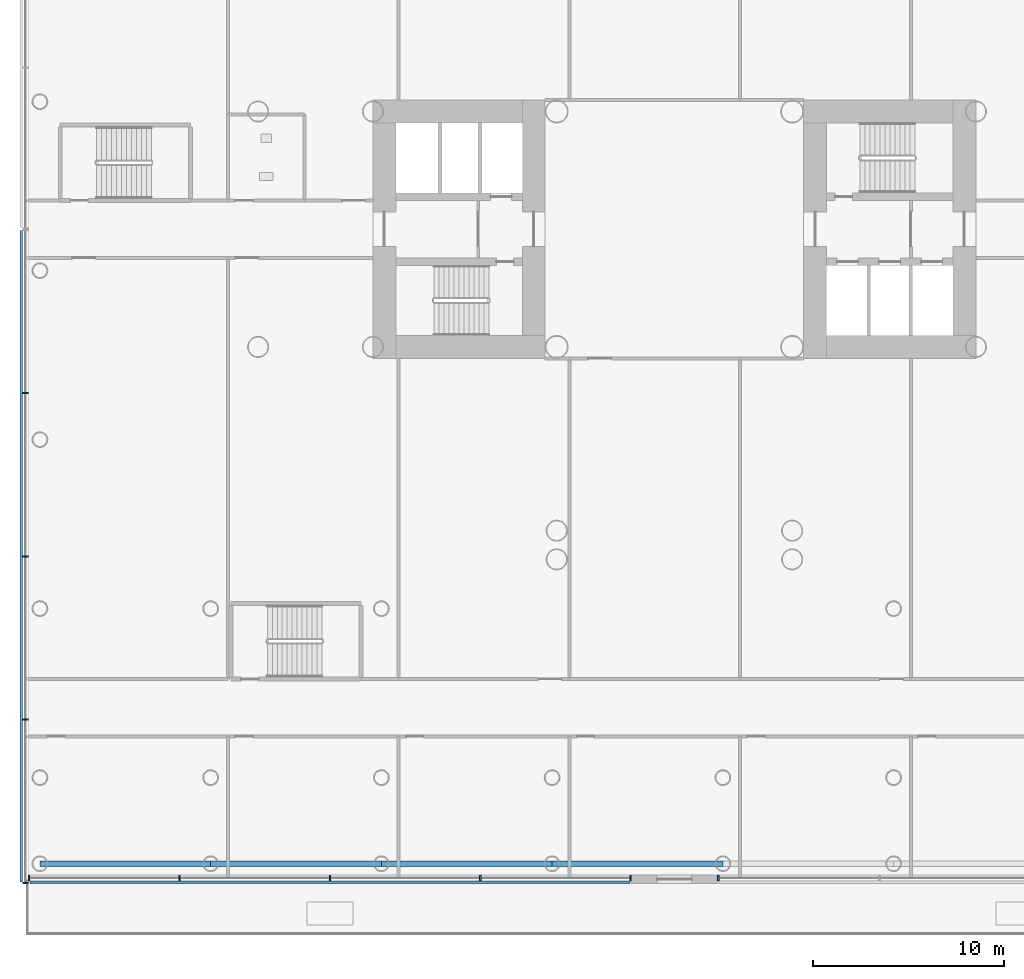
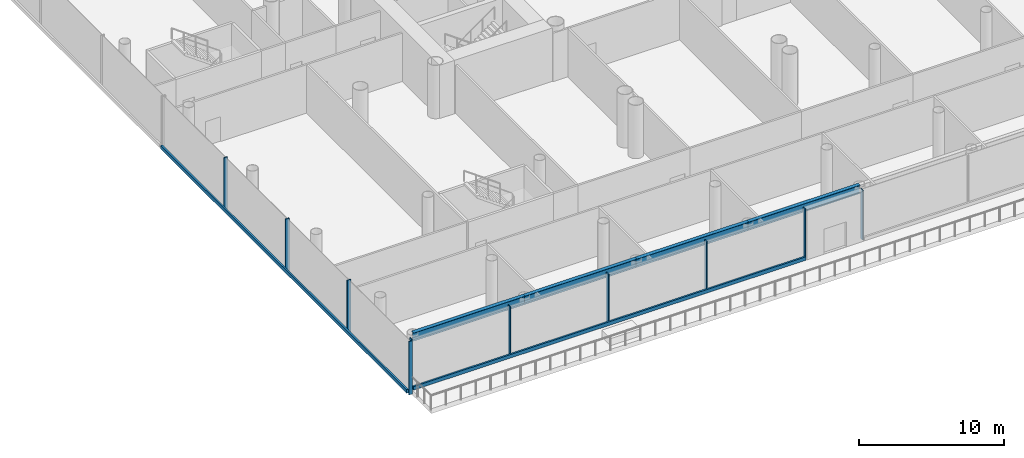
# One storey, part 5 of 51: 12 members, 4 beams, 3 elements without a shape of their own.
"""IFC4 building model written with IfcOpenShell, lengths in metres."""

import ifcopenshell
import ifcopenshell.guid

model = None  # the IFC model being written
_history = None  # IfcOwnerHistory: only IFC2X3 demands one
_inside = {}  # id of a spatial element -> (the spatial element, [elements in it])
_under = {}  # id of a project, library or spatial element -> (it, [spatial elements below it])
_declared = {}  # id of a project -> (the project, [libraries it declares])
_typed = {}  # id of a type object -> (the type object, [elements of that type])
_made_of = {}  # id of a material, layer set ... -> (it, [elements and type objects made of it])


def new_model(schema):
    """Start an empty IFC model of exactly this schema.

    Asked for "IFC4X3", IfcOpenShell would pick the latest addendum, in which some entities
    have other attributes; the version numbers below select the first issue.
    IFC2X3 requires an IfcOwnerHistory on every rooted entity: one is made here for all.
    """
    global model, _history
    if schema == "IFC4X3":
        model = ifcopenshell.file(schema_version=(4, 3, 0, 0))
    else:
        model = ifcopenshell.file(schema=schema)
    _inside.clear()
    _under.clear()
    _declared.clear()
    _typed.clear()
    _made_of.clear()
    _history = None
    if model.schema == "IFC2X3":
        org = make("IfcOrganization", Name="unknown")
        user = make(
            "IfcPersonAndOrganization",
            ThePerson=make("IfcPerson", FamilyName="unknown"),
            TheOrganization=org,
        )
        app = make(
            "IfcApplication",
            ApplicationDeveloper=org,
            Version="unknown",
            ApplicationFullName="unknown",
            ApplicationIdentifier="unknown",
        )
        _history = make(
            "IfcOwnerHistory",
            OwningUser=user,
            OwningApplication=app,
            ChangeAction="ADDED",
            CreationDate=0,
        )
    return model


def make(cls, **values):
    """One entity of the class cls with the attributes given. An attribute that is None is left unset."""
    return model.create_entity(
        cls, **{name: value for name, value in values.items() if value is not None}
    )


def rooted(cls, **values):
    """An entity with a GlobalId (a new one), such as an element, a storey or a relation."""
    return make(cls, GlobalId=ifcopenshell.guid.new(), OwnerHistory=_history, **values)


def si_unit(unit_type, name, prefix=None):
    """IfcSIUnit, for example si_unit("LENGTHUNIT", "METRE", prefix="MILLI")."""
    return make("IfcSIUnit", UnitType=unit_type, Prefix=prefix, Name=name)


def assignment(units):
    """IfcUnitAssignment: the units of a project."""
    return None if units is None else make("IfcUnitAssignment", Units=units)


def point(xyz):
    """IfcCartesianPoint."""
    return None if xyz is None else make("IfcCartesianPoint", Coordinates=xyz)


def direction(xyz):
    """IfcDirection."""
    return None if xyz is None else make("IfcDirection", DirectionRatios=xyz)


def frame(location, z_axis=None, x_axis=None):
    """IfcAxis2Placement3D, a coordinate frame: its origin and axes. An axis left out is left unset."""
    return make(
        "IfcAxis2Placement3D",
        Location=point(location),
        Axis=direction(z_axis),
        RefDirection=direction(x_axis),
    )


def frame_2d(location, x_axis=None):
    """IfcAxis2Placement2D, a coordinate frame in the plane: its origin and x axis."""
    return make(
        "IfcAxis2Placement2D", Location=point(location), RefDirection=direction(x_axis)
    )


def origin():
    """The frame at (0, 0, 0) with its axes left unset."""
    return frame((0.0, 0.0, 0.0))


def origin_2d():
    """The frame at (0, 0) in the plane with its x axis left unset."""
    return frame_2d((0.0, 0.0))


def place(relative_to, where):
    """IfcLocalPlacement: puts the frame where relative to a parent placement (None: the world)."""
    return make(
        "IfcLocalPlacement", PlacementRelTo=relative_to, RelativePlacement=where
    )


def context(
    kind, dimensions, precision=None, world=None, true_north=None, identifier=None
):
    """IfcGeometricRepresentationContext, for example the 3D "Model" context."""
    return make(
        "IfcGeometricRepresentationContext",
        ContextIdentifier=identifier,
        ContextType=kind,
        CoordinateSpaceDimension=dimensions,
        Precision=precision,
        WorldCoordinateSystem=world,
        TrueNorth=true_north,
    )


def subcontext(parent, identifier, kind, view, scale=None):
    """IfcGeometricRepresentationSubContext, for example "Body" below "Model"."""
    return make(
        "IfcGeometricRepresentationSubContext",
        ContextIdentifier=identifier,
        ContextType=kind,
        ParentContext=parent,
        TargetScale=scale,
        TargetView=view,
    )


def project(units=None, contexts=None):
    """IfcProject with its units and contexts."""
    return rooted(
        "IfcProject",
        Name="project",
        RepresentationContexts=contexts,
        UnitsInContext=assignment(units),
    )


def spatial(cls, under=None, at=None, **own):
    """A site, building, storey or space (cls), placed at a placement, below another one or the project."""
    s = rooted(cls, ObjectPlacement=at, **own)
    if under is not None:
        _under.setdefault(under.id(), (under, []))[1].append(s)
    return s


def profile(cls, at=None, kind="AREA", **sizes):
    """A parametric profile (cls). Its sizes go by their IFC names, for example OverallWidth=200.0."""
    return make(cls, ProfileType=kind, Position=at, **sizes)


def rectangle(**sizes):
    """IfcRectangleProfileDef."""
    return profile("IfcRectangleProfileDef", **sizes)


def i_section(**sizes):
    """IfcIShapeProfileDef."""
    return profile("IfcIShapeProfileDef", **sizes)


def extrude(swept, where, along, depth):
    """IfcExtrudedAreaSolid: the profile swept, set in the frame where, extruded along a direction by depth."""
    return make(
        "IfcExtrudedAreaSolid",
        SweptArea=swept,
        Position=where,
        ExtrudedDirection=direction(along),
        Depth=depth,
    )


def shape(context_of_items, identifier, shape_type, items):
    """IfcShapeRepresentation: the items that make up one representation, for example the "Body"."""
    return make(
        "IfcShapeRepresentation",
        ContextOfItems=context_of_items,
        RepresentationIdentifier=identifier,
        RepresentationType=shape_type,
        Items=items,
    )


def material(Name=None, Category=None):
    """IfcMaterial."""
    return make("IfcMaterial", Name=Name, Category=Category)


def layer(
    of_material, thickness, ventilated=None, Name=None, Category=None, Priority=None
):
    """IfcMaterialLayer: one layer of a wall or slab, of a material (None: an air gap)."""
    return make(
        "IfcMaterialLayer",
        Material=of_material,
        LayerThickness=thickness,
        IsVentilated=ventilated,
        Name=Name,
        Category=Category,
        Priority=Priority,
    )


def layer_set(layers, Name=None):
    """IfcMaterialLayerSet."""
    return make("IfcMaterialLayerSet", MaterialLayers=layers, LayerSetName=Name)


def material_profile(
    of_material, cross_section, Name=None, Category=None, Priority=None
):
    """IfcMaterialProfile: a cross section and its material."""
    return make(
        "IfcMaterialProfile",
        Name=Name,
        Material=of_material,
        Profile=cross_section,
        Priority=Priority,
        Category=Category,
    )


def profile_set(profiles, Name=None, composite=None):
    """IfcMaterialProfileSet."""
    return make(
        "IfcMaterialProfileSet",
        Name=Name,
        MaterialProfiles=profiles,
        CompositeProfile=composite,
    )


def made_of(thing, what):
    """Note that an element or type object is made of a material, layer set ...; save() writes the relation."""
    if what is not None:
        _made_of.setdefault(what.id(), (what, []))[1].append(thing)
    return thing


def type_object(cls, material=None, **own):
    """A type object (cls), such as IfcWallType, which elements share."""
    return made_of(rooted(cls, **own), material)


def element(
    cls,
    number,
    at=None,
    inside=None,
    cuts=None,
    type_object=None,
    material=None,
    context=None,
    identifier="Body",
    shape_type=None,
    held_by="IfcProductDefinitionShape",
    body=None,
    shapes=None,
    **own,
):
    """One element of the class cls, such as IfcWall. Its Tag is "e" and its number.

    at: its placement. inside: the storey or other place that contains it. cuts: it is an
    opening in that element (IfcRelVoidsElement). A single representation is given by context,
    identifier, shape_type and body (its items); several are given by shapes. held_by: the class
    of the entity that holds the representations. save() writes the other relations.
    """
    e = rooted(cls, Tag="e%d" % number, ObjectPlacement=at, **own)
    if body is not None:
        shapes = [shape(context, identifier, shape_type, body)]
    if shapes is not None:
        e.Representation = make(held_by, Representations=shapes)
    if inside is not None:
        _inside.setdefault(inside.id(), (inside, []))[1].append(e)
    if cuts is not None:
        rooted(
            "IfcRelVoidsElement", RelatingBuildingElement=cuts, RelatedOpeningElement=e
        )
    if type_object is not None:
        _typed.setdefault(type_object.id(), (type_object, []))[1].append(e)
    return made_of(e, material)


def aggregate(whole, parts):
    """IfcRelAggregates: a whole, such as a stair, and the parts it consists of."""
    return rooted("IfcRelAggregates", RelatingObject=whole, RelatedObjects=parts)


def save(model, path):
    """Write the relations noted so far, then the file.

    IfcRelAggregates (storeys below a building ...), IfcRelContainedInSpatialStructure (elements
    in a storey), IfcRelDefinesByType, IfcRelAssociatesMaterial and IfcRelDeclares: one each for
    every whole, place, type object, material and project.
    """
    for whole, parts in _under.values():
        aggregate(whole, parts)
    for where, things in _inside.values():
        rooted(
            "IfcRelContainedInSpatialStructure",
            RelatedElements=things,
            RelatingStructure=where,
        )
    for kind, things in _typed.values():
        rooted("IfcRelDefinesByType", RelatedObjects=things, RelatingType=kind)
    for what, things in _made_of.values():
        rooted("IfcRelAssociatesMaterial", RelatedObjects=things, RelatingMaterial=what)
    for by, libraries in _declared.values():
        rooted("IfcRelDeclares", RelatingContext=by, RelatedDefinitions=libraries)
    model.write(path)


model = new_model("IFC4")

# Units and contexts
model_context = context("Model", 3, precision=1e-05, world=origin(), true_north=direction((0.0, 1.0)))
body_context = subcontext(model_context, "Body", "Model", "MODEL_VIEW")
ifc_project = project(units=[si_unit("LENGTHUNIT", "METRE"), si_unit("AREAUNIT", "SQUARE_METRE"), si_unit("VOLUMEUNIT", "CUBIC_METRE"), si_unit("PLANEANGLEUNIT", "RADIAN"), si_unit("MASSUNIT", "GRAM", prefix="KILO")], contexts=[model_context])

# Site, building, storey
site_placement = place(None, origin())
site = spatial("IfcSite", under=ifc_project, at=site_placement, CompositionType="ELEMENT")
building_placement = place(site_placement, origin())
building = spatial("IfcBuilding", under=site, at=building_placement, Name="Ipe Terrace Towers", CompositionType="ELEMENT")
storey_placement = place(building_placement, frame((0.0, 0.0, 15.5)))
storey = spatial("IfcBuildingStorey", under=building, at=storey_placement, Name="L03", CompositionType="ELEMENT", Elevation=15.5)

# Beams
ifc_material_1 = material(Name="Steel S355", Category="steel")
ifc_material_profile_1 = material_profile(ifc_material_1, i_section(OverallWidth=0.300048828125, OverallDepth=0.699951171875, WebThickness=0.012939453125, FlangeThickness=0.02392578125, at=origin_2d()), Name="H-700x300x13x24")
ifc_profile_set_1 = profile_set([ifc_material_profile_1], Name="Steel S355")
beam_type = type_object("IfcBeamType", Name="H13 DECK EDGE BEAM H-700x300x13x24", PredefinedType="BEAM", material=ifc_profile_set_1)
for number, where, z_axis, x_axis, name in (
    (1, (-69.14990234375, -33.14990234375, 3.72998046875), (1.0, 0.0, 0.0), (0.0, 1.0, 0.0), "Deck edge beam PD-TB-C01-C02"),
    (2, (-60.22998046875, -33.14990234375, 3.72998046875), (1.0, 0.0, 0.0), (0.0, 1.0, 0.0), "Deck edge beam PD-TB-C02-C03"),
):
    element("IfcBeam", number, at=place(storey_placement, frame(where, z_axis=z_axis, x_axis=x_axis)), inside=storey, type_object=beam_type, Name=name, PredefinedType="BEAM", context=body_context, shape_type="SweptSolid", body=[
        extrude(i_section(OverallWidth=0.300048828125, OverallDepth=0.699951171875, WebThickness=0.012939453125, FlangeThickness=0.02392578125, at=origin_2d()), origin(), (0.0, 0.0, 1.0), 8.919921875),
    ])
beam_1_placement = place(storey_placement, frame((-51.31005859375, -33.14990234375, 3.72998046875), z_axis=(1.0, 0.0, 0.0), x_axis=(0.0, 1.0, 0.0)))
element("IfcBeam", 3, at=beam_1_placement, inside=storey, type_object=beam_type, Name="Deck edge beam PD-TB-C03-C04", PredefinedType="BEAM", context=body_context, shape_type="SweptSolid", body=[
    extrude(i_section(OverallWidth=0.300048828125, OverallDepth=0.699951171875, WebThickness=0.012939453125, FlangeThickness=0.02392578125, at=origin_2d()), origin(), (0.0, 0.0, 1.0), 8.920166015625),
])
beam_2_placement = place(storey_placement, frame((-42.389892578125, -33.14990234375, 3.72998046875), z_axis=(1.0, 0.0, 0.0), x_axis=(0.0, 1.0, 0.0)))
element("IfcBeam", 4, at=beam_2_placement, inside=storey, type_object=beam_type, Name="Deck edge beam PD-TB-C04-C05", PredefinedType="BEAM", context=body_context, shape_type="SweptSolid", body=[
    extrude(i_section(OverallWidth=0.300048828125, OverallDepth=0.699951171875, WebThickness=0.012939453125, FlangeThickness=0.02392578125, at=origin_2d()), origin(), (0.0, 0.0, 1.0), 8.919921875),
])

# Curtain wall, members
ifc_material_2 = material(Name="Aluminium alloy 6063-T6", Category="aluminium")
ifc_layer = layer(ifc_material_2, 0.43994140625)
ifc_layer_set = layer_set([ifc_layer], Name="PODIUM GLAZING CURTAIN WALL")
curtain_wall_type = type_object("IfcCurtainWallType", Name="PODIUM GLAZING CURTAIN WALL", PredefinedType="NOTDEFINED", material=ifc_layer_set)
curtain_wall_1_placement = place(storey_placement, origin())
curtain_wall_1 = element("IfcCurtainWall", 5, at=curtain_wall_1_placement, inside=storey, type_object=curtain_wall_type, Name="POD-CW-L03-02b curtain wall", PredefinedType="NOTDEFINED")
ifc_material_3 = material(Name="Aluminium alloy 6063-T6", Category="aluminium")
ifc_material_profile_2 = material_profile(ifc_material_3, rectangle(XDim=0.300048828125, YDim=0.080078125, at=origin_2d()), Name="PODIUM GLAZING MULLION 300 x 80")
ifc_profile_set_2 = profile_set([ifc_material_profile_2], Name="Aluminium alloy 6063-T6")
member_type_1 = type_object("IfcMemberType", Name="PODIUM GLAZING MULLION 300 x 80", PredefinedType="MULLION", material=ifc_profile_set_2)
member_1_placement = place(storey_placement, frame((-69.89990234375, -8.5673828125, -0.300048828125), z_axis=(0.0, 0.0, 1.0), x_axis=(-1.0, 0.0, 0.0)))
member_1 = element("IfcMember", 6, at=member_1_placement, type_object=member_type_1, Name="POD-CW-L03-02b mullion 2", PredefinedType="MULLION", context=body_context, shape_type="SweptSolid", body=[
    extrude(rectangle(XDim=0.300048828125, YDim=0.080078125, at=origin_2d()), origin(), (0.0, 0.0, 1.0), 4.5),
])
member_2_placement = place(storey_placement, frame((-69.89990234375, -17.094970703125, -0.300048828125), z_axis=(0.0, 0.0, 1.0), x_axis=(-1.0, 0.0, 0.0)))
member_2 = element("IfcMember", 7, at=member_2_placement, type_object=member_type_1, Name="POD-CW-L03-02b mullion 3", PredefinedType="MULLION", context=body_context, shape_type="SweptSolid", body=[
    extrude(rectangle(XDim=0.300048828125, YDim=0.080078125, at=origin_2d()), origin(), (0.0, 0.0, 1.0), 4.5),
])
member_3_placement = place(storey_placement, frame((-69.89990234375, -25.62255859375, -0.300048828125), z_axis=(0.0, 0.0, 1.0), x_axis=(-1.0, 0.0, 0.0)))
member_3 = element("IfcMember", 8, at=member_3_placement, type_object=member_type_1, Name="POD-CW-L03-02b mullion 4", PredefinedType="MULLION", context=body_context, shape_type="SweptSolid", body=[
    extrude(rectangle(XDim=0.300048828125, YDim=0.080078125, at=origin_2d()), origin(), (0.0, 0.0, 1.0), 4.5),
])
member_4_placement = place(storey_placement, frame((-69.89990234375, -34.14990234375, -0.300048828125), z_axis=(0.0, 0.0, 1.0), x_axis=(-1.0, 0.0, 0.0)))
member_4 = element("IfcMember", 9, at=member_4_placement, type_object=member_type_1, Name="POD-CW-L03-02b mullion 5", PredefinedType="MULLION", context=body_context, shape_type="SweptSolid", body=[
    extrude(rectangle(XDim=0.300048828125, YDim=0.080078125, at=origin_2d()), origin(), (0.0, 0.0, 1.0), 4.5),
])

curtain_wall_2_placement = place(storey_placement, origin())
curtain_wall_2 = element("IfcCurtainWall", 10, at=curtain_wall_2_placement, inside=storey, type_object=curtain_wall_type, Name="POD-CW-L03-03a curtain wall", PredefinedType="NOTDEFINED")
member_5_placement = place(storey_placement, frame((-69.7099609375, -33.89990234375, -0.02001953125), z_axis=(0.0, 0.0, 1.0), x_axis=(0.0, -1.0, 0.0)))
member_5 = element("IfcMember", 11, at=member_5_placement, type_object=member_type_1, Name="POD-CW-L03-03a mullion 1", PredefinedType="MULLION", context=body_context, shape_type="SweptSolid", body=[
    extrude(rectangle(XDim=0.300048828125, YDim=0.080078125, at=origin_2d()), origin(), (0.0, 0.0, 1.0), 4.219970703125),
])
member_6_placement = place(storey_placement, frame((-61.85498046875, -33.89990234375, -0.02001953125), z_axis=(0.0, 0.0, 1.0), x_axis=(0.0, -1.0, 0.0)))
member_6 = element("IfcMember", 12, at=member_6_placement, type_object=member_type_1, Name="POD-CW-L03-03a mullion 2", PredefinedType="MULLION", context=body_context, shape_type="SweptSolid", body=[
    extrude(rectangle(XDim=0.300048828125, YDim=0.080078125, at=origin_2d()), origin(), (0.0, 0.0, 1.0), 4.219970703125),
])
member_7_placement = place(storey_placement, frame((-54.0, -33.89990234375, -0.02001953125), z_axis=(0.0, 0.0, 1.0), x_axis=(0.0, -1.0, 0.0)))
member_7 = element("IfcMember", 13, at=member_7_placement, type_object=member_type_1, Name="POD-CW-L03-03a mullion 3", PredefinedType="MULLION", context=body_context, shape_type="SweptSolid", body=[
    extrude(rectangle(XDim=0.300048828125, YDim=0.080078125, at=origin_2d()), origin(), (0.0, 0.0, 1.0), 4.219970703125),
])
member_8_placement = place(storey_placement, frame((-46.14501953125, -33.89990234375, -0.02001953125), z_axis=(0.0, 0.0, 1.0), x_axis=(0.0, -1.0, 0.0)))
member_8 = element("IfcMember", 14, at=member_8_placement, type_object=member_type_1, Name="POD-CW-L03-03a mullion 4", PredefinedType="MULLION", context=body_context, shape_type="SweptSolid", body=[
    extrude(rectangle(XDim=0.300048828125, YDim=0.080078125, at=origin_2d()), origin(), (0.0, 0.0, 1.0), 4.219970703125),
])
member_9_placement = place(storey_placement, frame((-38.2900390625, -33.89990234375, -0.02001953125), z_axis=(0.0, 0.0, 1.0), x_axis=(0.0, -1.0, 0.0)))
member_9 = element("IfcMember", 15, at=member_9_placement, type_object=member_type_1, Name="POD-CW-L03-03a mullion 5", PredefinedType="MULLION", context=body_context, shape_type="SweptSolid", body=[
    extrude(rectangle(XDim=0.300048828125, YDim=0.080078125, at=origin_2d()), origin(), (0.0, 0.0, 1.0), 4.219970703125),
])

# Curtain wall, member
curtain_wall_3_placement = place(storey_placement, origin())
curtain_wall_3 = element("IfcCurtainWall", 16, at=curtain_wall_3_placement, inside=storey, type_object=curtain_wall_type, Name="POD-CW-L03-03c curtain wall", PredefinedType="NOTDEFINED")
member_10_placement = place(storey_placement, frame((-33.7099609375, -33.89990234375, -0.02001953125), z_axis=(0.0, 0.0, 1.0), x_axis=(0.0, -1.0, 0.0)))
member_10 = element("IfcMember", 17, at=member_10_placement, type_object=member_type_1, Name="POD-CW-L03-03c mullion 1", PredefinedType="MULLION", context=body_context, shape_type="SweptSolid", body=[
    extrude(rectangle(XDim=0.300048828125, YDim=0.080078125, at=origin_2d()), origin(), (0.0, 0.0, 1.0), 4.219970703125),
])
aggregate(curtain_wall_3, [member_10])

# Member
ifc_material_4 = material(Name="Aluminium alloy 6063-T6", Category="aluminium")
ifc_material_profile_3 = material_profile(ifc_material_4, rectangle(XDim=0.139892578125, YDim=0.300048828125, at=origin_2d()), Name="PODIUM GLAZING TRANSOM 140 x 300")
ifc_profile_set_3 = profile_set([ifc_material_profile_3], Name="Aluminium alloy 6063-T6")
member_type_2 = type_object("IfcMemberType", Name="PODIUM GLAZING TRANSOM 140 x 300", PredefinedType="USERDEFINED", material=ifc_profile_set_3)
member_11_placement = place(storey_placement, frame((-70.1201171875, -0.080078125, 0.0), z_axis=(0.0, -1.0, 0.0), x_axis=(-1.0, 0.0, 0.0)))
member_11 = element("IfcMember", 18, at=member_11_placement, type_object=member_type_2, Name="POD-CW-L03-02b transom", ObjectType="TRANSOM", PredefinedType="USERDEFINED", context=body_context, shape_type="SweptSolid", body=[
    extrude(rectangle(XDim=0.139892578125, YDim=0.300048828125, at=origin_2d()), origin(), (0.0, 0.0, 1.0), 34.030029296875),
])

aggregate(curtain_wall_1, [member_1, member_2, member_3, member_4, member_11])

member_12_placement = place(storey_placement, frame((-69.669921875, -34.1201171875, 0.1298828125), z_axis=(1.0, 0.0, 0.0), x_axis=(0.0, -1.0, 0.0)))
member_12 = element("IfcMember", 19, at=member_12_placement, type_object=member_type_2, Name="POD-CW-L03-03a transom", ObjectType="TRANSOM", PredefinedType="USERDEFINED", context=body_context, shape_type="SweptSolid", body=[
    extrude(rectangle(XDim=0.139892578125, YDim=0.300048828125, at=origin_2d()), origin(), (0.0, 0.0, 1.0), 31.33984375),
])

aggregate(curtain_wall_2, [member_5, member_6, member_7, member_8, member_9, member_12])

save(model, "model.ifc")
